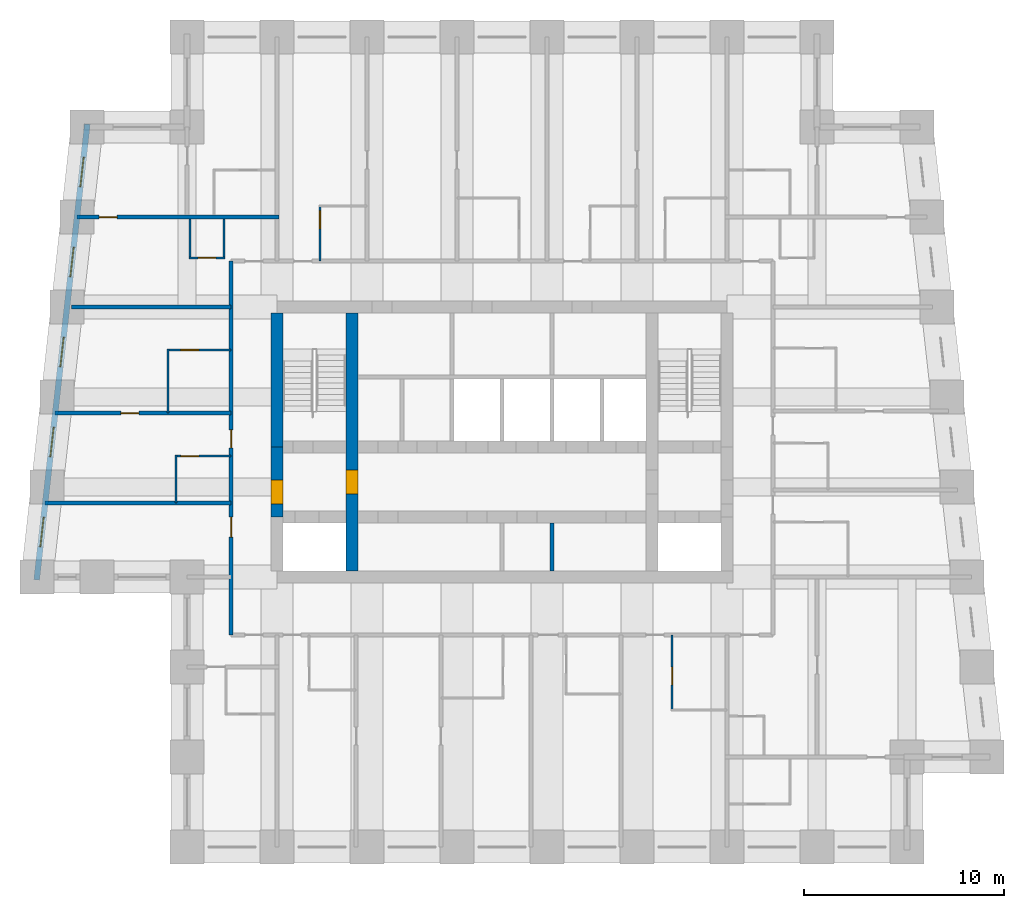
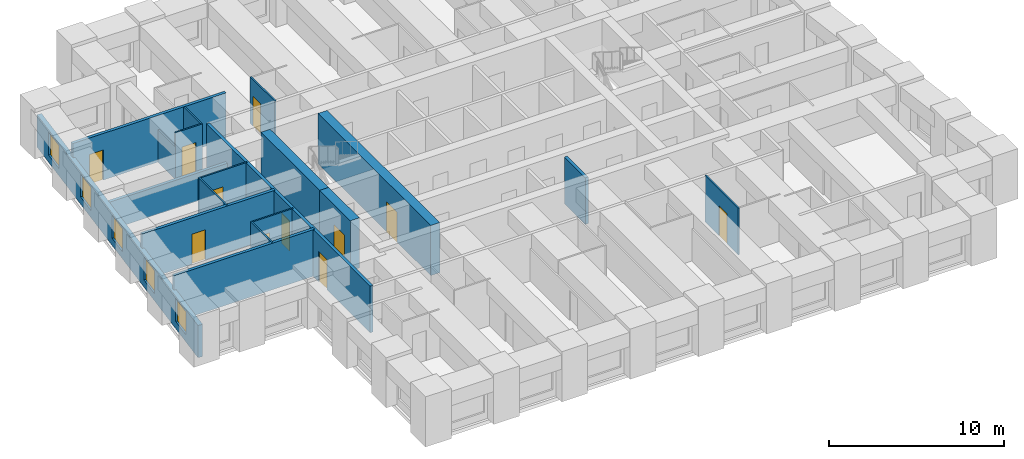
# One storey, part 3 of 8: 19 walls, 11 doors, 5 windows, 16 openings.
"""IFC4 building model written with IfcOpenShell, lengths in metres."""

from ifc_helpers import new_model, si_unit, direction, frame, frame_2d, origin, place, context, subcontext, project, spatial, rectangle, extrude, material, layer, layer_set, type_object, element, fill, save


model = new_model("IFC4")

# Units and contexts
model_context = context("Model", 3, precision=1e-05, world=origin(), true_north=direction((0.0, 1.0)))
body_context = subcontext(model_context, "Body", "Model", "MODEL_VIEW")
ifc_project = project(units=[si_unit("LENGTHUNIT", "METRE"), si_unit("AREAUNIT", "SQUARE_METRE"), si_unit("VOLUMEUNIT", "CUBIC_METRE"), si_unit("PLANEANGLEUNIT", "RADIAN"), si_unit("MASSUNIT", "GRAM", prefix="KILO")], contexts=[model_context])

# Site, building, storey
site_placement = place(None, origin())
site = spatial("IfcSite", under=ifc_project, at=site_placement, CompositionType="ELEMENT")
building_placement = place(site_placement, origin())
building = spatial("IfcBuilding", under=site, at=building_placement, Name="Kilele Tower Hotel", CompositionType="ELEMENT")
storey_placement = place(building_placement, frame((0.0, 0.0, 204.39990234375)))
storey = spatial("IfcBuildingStorey", under=building, at=storey_placement, Name="L53", CompositionType="ELEMENT", Elevation=204.39990234375)

# Wall, opening, door
ifc_material_1 = material(Name="Moisture-resistant board")
ifc_layer_1 = layer(ifc_material_1, 0.10009765625)
ifc_layer_set_1 = layer_set([ifc_layer_1], Name="Moisture-resistant board")
wall_type_1 = type_object("IfcWallType", Name="Bathroom partition 100", PredefinedType="PLUMBINGWALL", material=ifc_layer_set_1)
wall_1_placement = place(storey_placement, frame((33.25, 10.60009765625, 0.0), z_axis=(0.0, 0.0, 1.0), x_axis=(0.0, -1.0, 0.0)))
wall_1 = element("IfcWall", 1, at=wall_1_placement, inside=storey, type_object=wall_type_1, Name="Bathroom partition 100 L53", PredefinedType="PLUMBINGWALL", context=body_context, shape_type="SweptSolid", body=[
    extrude(rectangle(XDim=3.800048828125, YDim=0.10009765625, at=frame_2d((1.89990234375, 0.0))), origin(), (0.0, 0.0, 1.0), 3.25),
])
opening_1_placement = place(wall_1_placement, frame((2.5, 0.0, 0.0), z_axis=(0.0, 0.0, 1.0), x_axis=(-1.0, 0.0, 0.0)))
opening_1 = element("IfcOpeningElement", 2, at=opening_1_placement, cuts=wall_1, Name="Opening D2A", PredefinedType="OPENING", context=body_context, shape_type="SweptSolid", body=[
    extrude(rectangle(XDim=0.89990234375, YDim=2.10009765625, at=frame_2d((0.449951171875, 1.050048828125))), frame((0.0, 0.06005859375, 0.0), z_axis=(0.0, -1.0, 0.0), x_axis=(1.0, 0.0, 0.0)), (0.0, 0.0, 1.0), 0.1201171875),
])
ifc_material_2 = material(Name="Timber door leaf in hardwood frame", Category="wood")
door_type_1 = type_object("IfcDoorType", Name="Bathroom door 900", OperationType="SINGLE_SWING_LEFT", PredefinedType="DOOR", material=ifc_material_2)
door_1_placement = place(opening_1_placement, origin())
door_1 = element("IfcDoor", 3, at=door_1_placement, inside=storey, type_object=door_type_1, Name="Bathroom door 5305B", OperationType="SINGLE_SWING_LEFT", OverallHeight=2.10009765625, OverallWidth=0.89990234375, PredefinedType="DOOR", context=body_context, shape_type="SweptSolid", body=[
    extrude(rectangle(XDim=0.89990234375, YDim=2.10009765625, at=frame_2d((0.449951171875, 1.050048828125))), frame((0.0, 0.02490234375, 0.0), z_axis=(0.0, -1.0, 0.0), x_axis=(1.0, 0.0, 0.0)), (0.0, 0.0, 1.0), 0.050048828125),
])
fill(opening_1, door_1)

wall_2_placement = place(storey_placement, frame((15.64990234375, 29.300048828125, 0.0), z_axis=(0.0, 0.0, 1.0), x_axis=(0.0, 1.0, 0.0)))
wall_2 = element("IfcWall", 4, at=wall_2_placement, inside=storey, type_object=wall_type_1, Name="Bathroom partition 100 L53", PredefinedType="PLUMBINGWALL", context=body_context, shape_type="SweptSolid", body=[
    extrude(rectangle(XDim=2.800048828125, YDim=0.10009765625, at=frame_2d((1.39990234375, 0.0))), origin(), (0.0, 0.0, 1.0), 3.25),
])
opening_2_placement = place(wall_2_placement, frame((1.60009765625, 0.0, 0.0)))
opening_2 = element("IfcOpeningElement", 5, at=opening_2_placement, cuts=wall_2, Name="Opening D2A", PredefinedType="OPENING", context=body_context, shape_type="SweptSolid", body=[
    extrude(rectangle(XDim=0.89990234375, YDim=2.10009765625, at=frame_2d((0.449951171875, 1.050048828125))), frame((0.0, 0.06005859375, 0.0), z_axis=(0.0, -1.0, 0.0), x_axis=(1.0, 0.0, 0.0)), (0.0, 0.0, 1.0), 0.1201171875),
])
door_2_placement = place(opening_2_placement, origin())
door_2 = element("IfcDoor", 6, at=door_2_placement, inside=storey, type_object=door_type_1, Name="Bathroom door 5309B", OperationType="SINGLE_SWING_LEFT", OverallHeight=2.10009765625, OverallWidth=0.89990234375, PredefinedType="DOOR", context=body_context, shape_type="SweptSolid", body=[
    extrude(rectangle(XDim=0.89990234375, YDim=2.10009765625, at=frame_2d((0.449951171875, 1.050048828125))), frame((0.0, 0.02490234375, 0.0), z_axis=(0.0, -1.0, 0.0), x_axis=(1.0, 0.0, 0.0)), (0.0, 0.0, 1.0), 0.050048828125),
])
fill(opening_2, door_2)

# Wall
wall_3_placement = place(storey_placement, frame((8.449951171875, 17.199951171875, 0.0), z_axis=(0.0, 0.0, 1.0), x_axis=(0.0, 1.0, 0.0)))
element("IfcWall", 7, at=wall_3_placement, inside=storey, type_object=wall_type_1, Name="Bathroom partition 100 L53", PredefinedType="PLUMBINGWALL", context=body_context, shape_type="SweptSolid", body=[
    extrude(rectangle(XDim=2.400146484375, YDim=0.10009765625, at=frame_2d((1.2001953125, 0.0))), origin(), (0.0, 0.0, 1.0), 3.25),
])

# Wall, opening, door
wall_4_placement = place(storey_placement, frame((11.199951171875, 19.550048828125, 0.0), z_axis=(0.0, 0.0, 1.0), x_axis=(-1.0, 0.0, 0.0)))
wall_4 = element("IfcWall", 8, at=wall_4_placement, inside=storey, type_object=wall_type_1, Name="Bathroom partition 100 L53", PredefinedType="PLUMBINGWALL", context=body_context, shape_type="SweptSolid", body=[
    extrude(rectangle(XDim=2.800048828125, YDim=0.10009765625, at=frame_2d((1.39990234375, 0.0))), origin(), (0.0, 0.0, 1.0), 3.25),
])
opening_3_placement = place(wall_4_placement, frame((2.5, 0.0, 0.0), z_axis=(0.0, 0.0, 1.0), x_axis=(-1.0, 0.0, 0.0)))
opening_3 = element("IfcOpeningElement", 9, at=opening_3_placement, cuts=wall_4, Name="Opening D2A", PredefinedType="OPENING", context=body_context, shape_type="SweptSolid", body=[
    extrude(rectangle(XDim=0.89990234375, YDim=2.10009765625, at=frame_2d((0.449951171875, 1.050048828125))), frame((0.0, 0.06005859375, 0.0), z_axis=(0.0, -1.0, 0.0), x_axis=(1.0, 0.0, 0.0)), (0.0, 0.0, 1.0), 0.1201171875),
])
door_3_placement = place(opening_3_placement, origin())
door_3 = element("IfcDoor", 10, at=door_3_placement, inside=storey, type_object=door_type_1, Name="Bathroom door 5315B", OperationType="SINGLE_SWING_LEFT", OverallHeight=2.10009765625, OverallWidth=0.89990234375, PredefinedType="DOOR", context=body_context, shape_type="SweptSolid", body=[
    extrude(rectangle(XDim=0.89990234375, YDim=2.10009765625, at=frame_2d((0.449951171875, 1.050048828125))), frame((0.0, 0.02490234375, 0.0), z_axis=(0.0, -1.0, 0.0), x_axis=(1.0, 0.0, 0.0)), (0.0, 0.0, 1.0), 0.050048828125),
])
fill(opening_3, door_3)

# Wall
wall_5_placement = place(storey_placement, frame((8.050048828125, 21.699951171875, 0.0), z_axis=(0.0, 0.0, 1.0), x_axis=(0.0, 1.0, 0.0)))
element("IfcWall", 11, at=wall_5_placement, inside=storey, type_object=wall_type_1, Name="Bathroom partition 100 L53", PredefinedType="PLUMBINGWALL", context=body_context, shape_type="SweptSolid", body=[
    extrude(rectangle(XDim=3.199951171875, YDim=0.10009765625, at=frame_2d((1.60009765625, 0.0))), origin(), (0.0, 0.0, 1.0), 3.25),
])

# Wall, opening, door
wall_6_placement = place(storey_placement, frame((11.199951171875, 24.85009765625, 0.0), z_axis=(0.0, 0.0, 1.0), x_axis=(-1.0, 0.0, 0.0)))
wall_6 = element("IfcWall", 12, at=wall_6_placement, inside=storey, type_object=wall_type_1, Name="Bathroom partition 100 L53", PredefinedType="PLUMBINGWALL", context=body_context, shape_type="SweptSolid", body=[
    extrude(rectangle(XDim=3.199951171875, YDim=0.10009765625, at=frame_2d((1.60009765625, 0.0))), origin(), (0.0, 0.0, 1.0), 3.25),
])
opening_4_placement = place(wall_6_placement, frame((2.5, 0.0, 0.0), z_axis=(0.0, 0.0, 1.0), x_axis=(-1.0, 0.0, 0.0)))
opening_4 = element("IfcOpeningElement", 13, at=opening_4_placement, cuts=wall_6, Name="Opening D2A", PredefinedType="OPENING", context=body_context, shape_type="SweptSolid", body=[
    extrude(rectangle(XDim=0.89990234375, YDim=2.10009765625, at=frame_2d((0.449951171875, 1.050048828125))), frame((0.0, 0.06005859375, 0.0), z_axis=(0.0, -1.0, 0.0), x_axis=(1.0, 0.0, 0.0)), (0.0, 0.0, 1.0), 0.1201171875),
])
door_4_placement = place(opening_4_placement, origin())
door_4 = element("IfcDoor", 14, at=door_4_placement, inside=storey, type_object=door_type_1, Name="Bathroom door 5316B", OperationType="SINGLE_SWING_LEFT", OverallHeight=2.10009765625, OverallWidth=0.89990234375, PredefinedType="DOOR", context=body_context, shape_type="SweptSolid", body=[
    extrude(rectangle(XDim=0.89990234375, YDim=2.10009765625, at=frame_2d((0.449951171875, 1.050048828125))), frame((0.0, 0.02490234375, 0.0), z_axis=(0.0, -1.0, 0.0), x_axis=(1.0, 0.0, 0.0)), (0.0, 0.0, 1.0), 0.050048828125),
])
fill(opening_4, door_4)

# Walls
wall_7_placement = place(storey_placement, frame((9.14990234375, 31.39990234375, 0.0), z_axis=(0.0, 0.0, 1.0), x_axis=(0.0, -1.0, 0.0)))
element("IfcWall", 15, at=wall_7_placement, inside=storey, type_object=wall_type_1, Name="Bathroom partition 100 L53", PredefinedType="PLUMBINGWALL", context=body_context, shape_type="SweptSolid", body=[
    extrude(rectangle(XDim=2.0, YDim=0.10009765625, at=frame_2d((1.0, 0.0))), origin(), (0.0, 0.0, 1.0), 2.25),
])
wall_8_placement = place(storey_placement, frame((10.85009765625, 31.39990234375, 0.0), z_axis=(0.0, 0.0, 1.0), x_axis=(0.0, -1.0, 0.0)))
element("IfcWall", 16, at=wall_8_placement, inside=storey, type_object=wall_type_1, Name="Bathroom partition 100 L53", PredefinedType="PLUMBINGWALL", context=body_context, shape_type="SweptSolid", body=[
    extrude(rectangle(XDim=2.0, YDim=0.10009765625, at=frame_2d((1.0, 0.0))), origin(), (0.0, 0.0, 1.0), 3.25),
])

# Wall, opening, door
wall_9_placement = place(storey_placement, frame((10.89990234375, 29.449951171875, 0.0), z_axis=(0.0, 0.0, 1.0), x_axis=(-1.0, 0.0, 0.0)))
wall_9 = element("IfcWall", 17, at=wall_9_placement, inside=storey, type_object=wall_type_1, Name="Bathroom partition 100 L53", PredefinedType="PLUMBINGWALL", context=body_context, shape_type="SweptSolid", body=[
    extrude(rectangle(XDim=1.7998046875, YDim=0.10009765625, at=frame_2d((0.89990234375, 0.0))), origin(), (0.0, 0.0, 1.0), 3.25),
])
opening_5_placement = place(wall_9_placement, frame((0.449951171875, 0.0, 0.0)))
opening_5 = element("IfcOpeningElement", 18, at=opening_5_placement, cuts=wall_9, Name="Opening D2A", PredefinedType="OPENING", context=body_context, shape_type="SweptSolid", body=[
    extrude(rectangle(XDim=0.89990234375, YDim=2.10009765625, at=frame_2d((0.449951171875, 1.050048828125))), frame((0.0, 0.06005859375, 0.0), z_axis=(0.0, -1.0, 0.0), x_axis=(1.0, 0.0, 0.0)), (0.0, 0.0, 1.0), 0.1201171875),
])
door_5_placement = place(opening_5_placement, origin())
door_5 = element("IfcDoor", 19, at=door_5_placement, inside=storey, type_object=door_type_1, Name="Bathroom door 5325P", OperationType="SINGLE_SWING_LEFT", OverallHeight=2.10009765625, OverallWidth=0.89990234375, PredefinedType="DOOR", context=body_context, shape_type="SweptSolid", body=[
    extrude(rectangle(XDim=0.89990234375, YDim=2.10009765625, at=frame_2d((0.449951171875, 1.050048828125))), frame((0.0, 0.02490234375, 0.0), z_axis=(0.0, -1.0, 0.0), x_axis=(1.0, 0.0, 0.0)), (0.0, 0.0, 1.0), 0.050048828125),
])
fill(opening_5, door_5)

ifc_material_3 = material(Name="Concrete C70/85", Category="concrete")
ifc_layer_2 = layer(ifc_material_3, 0.60009765625)
ifc_layer_set_2 = layer_set([ifc_layer_2], Name="Concrete C70/85")
wall_type_2 = type_object("IfcWallType", Name="Core wall 600 C70/85", PredefinedType="SHEAR", material=ifc_layer_set_2)
wall_10_placement = place(storey_placement, frame((17.25, 13.800048828125, 0.0), z_axis=(0.0, 0.0, 1.0), x_axis=(0.0, 1.0, 0.0)))
wall_10 = element("IfcWall", 20, at=wall_10_placement, inside=storey, type_object=wall_type_2, Name="Core wall IW L53", PredefinedType="SHEAR", context=body_context, shape_type="SweptSolid", body=[
    extrude(rectangle(XDim=12.89990234375, YDim=0.60009765625, at=frame_2d((6.449951171875, 0.0))), origin(), (0.0, 0.0, 1.0), 3.5),
])
opening_6_placement = place(wall_10_placement, frame((3.85009765625, 0.0, 0.0)))
opening_6 = element("IfcOpeningElement", 21, at=opening_6_placement, cuts=wall_10, Name="Opening D4", PredefinedType="OPENING", context=body_context, shape_type="SweptSolid", body=[
    extrude(rectangle(XDim=1.199951171875, YDim=2.10009765625, at=frame_2d((0.60009765625, 1.050048828125))), frame((0.0, 0.31005859375, 0.0), z_axis=(0.0, -1.0, 0.0), x_axis=(1.0, 0.0, 0.0)), (0.0, 0.0, 1.0), 0.6201171875),
])
ifc_material_4 = material(Name="Timber door leaf in hardwood frame", Category="wood")
door_type_2 = type_object("IfcDoorType", Name="Firefighting lobby door 1200", OperationType="SINGLE_SWING_LEFT", PredefinedType="DOOR", material=ifc_material_4)
door_6_placement = place(opening_6_placement, origin())
door_6 = element("IfcDoor", 22, at=door_6_placement, inside=storey, type_object=door_type_2, Name="Lobby door L53", OperationType="SINGLE_SWING_LEFT", OverallHeight=2.10009765625, OverallWidth=1.199951171875, PredefinedType="DOOR", context=body_context, shape_type="SweptSolid", body=[
    extrude(rectangle(XDim=1.199951171875, YDim=2.10009765625, at=frame_2d((0.60009765625, 1.050048828125))), frame((0.0, 0.2998046875, 0.0), z_axis=(0.0, -1.0, 0.0), x_axis=(1.0, 0.0, 0.0)), (0.0, 0.0, 1.0), 0.599609375),
])
fill(opening_6, door_6)

# Wall
wall_11_placement = place(storey_placement, frame((13.5, 26.699951171875, 0.0), z_axis=(0.0, 0.0, 1.0), x_axis=(0.0, -1.0, 0.0)))
element("IfcWall", 23, at=wall_11_placement, inside=storey, type_object=wall_type_2, Name="Core wall W1 L53", PredefinedType="SHEAR", context=body_context, shape_type="SweptSolid", body=[
    extrude(rectangle(XDim=6.699951171875, YDim=0.60009765625, at=frame_2d((3.35009765625, 0.0))), origin(), (0.0, 0.0, 1.0), 3.5),
])

# Wall, opening, door
wall_12_placement = place(storey_placement, frame((13.5, 20.0, 0.0), z_axis=(0.0, 0.0, 1.0), x_axis=(0.0, -1.0, 0.0)))
wall_12 = element("IfcWall", 24, at=wall_12_placement, inside=storey, type_object=wall_type_2, Name="Core wall W2 L53", PredefinedType="SHEAR", context=body_context, shape_type="SweptSolid", body=[
    extrude(rectangle(XDim=3.5, YDim=0.60009765625, at=frame_2d((1.75, 0.0))), origin(), (0.0, 0.0, 1.0), 3.5),
])
opening_7_placement = place(wall_12_placement, frame((1.64990234375, 0.0, 0.0)))
opening_7 = element("IfcOpeningElement", 25, at=opening_7_placement, cuts=wall_12, Name="Opening D4", PredefinedType="OPENING", context=body_context, shape_type="SweptSolid", body=[
    extrude(rectangle(XDim=1.199951171875, YDim=2.10009765625, at=frame_2d((0.60009765625, 1.050048828125))), frame((0.0, 0.31005859375, 0.0), z_axis=(0.0, -1.0, 0.0), x_axis=(1.0, 0.0, 0.0)), (0.0, 0.0, 1.0), 0.6201171875),
])
door_7_placement = place(opening_7_placement, origin())
door_7 = element("IfcDoor", 26, at=door_7_placement, inside=storey, type_object=door_type_2, Name="Lobby door L53", OperationType="SINGLE_SWING_RIGHT", OverallHeight=2.10009765625, OverallWidth=1.199951171875, PredefinedType="DOOR", context=body_context, shape_type="SweptSolid", body=[
    extrude(rectangle(XDim=1.199951171875, YDim=2.10009765625, at=frame_2d((0.60009765625, 1.050048828125))), frame((0.0, 0.2998046875, 0.0), z_axis=(0.0, -1.0, 0.0), x_axis=(1.0, 0.0, 0.0)), (0.0, 0.0, 1.0), 0.599609375),
])
fill(opening_7, door_7)

# Wall, openings, doors
ifc_material_5 = material(Name="Blockwork, plastered both sides", Category="masonry")
ifc_layer_3 = layer(ifc_material_5, 0.199951171875)
ifc_layer_set_3 = layer_set([ifc_layer_3], Name="Blockwork, plastered both sides")
wall_type_3 = type_object("IfcWallType", Name="Corridor wall 200", PredefinedType="PARTITIONING", material=ifc_layer_set_3)
wall_13_placement = place(storey_placement, frame((11.199951171875, 10.60009765625, 0.0), z_axis=(0.0, 0.0, 1.0), x_axis=(0.0, 1.0, 0.0)))
wall_13 = element("IfcWall", 27, at=wall_13_placement, inside=storey, type_object=wall_type_3, Name="Corridor wall 200 L53", PredefinedType="PARTITIONING", context=body_context, shape_type="SweptSolid", body=[
    extrude(rectangle(XDim=18.699951171875, YDim=0.199951171875, at=frame_2d((9.35009765625, 0.0))), origin(), (0.0, 0.0, 1.0), 3.25),
])
opening_8_placement = place(wall_13_placement, frame((4.89990234375, 0.0, 0.0)))
opening_8 = element("IfcOpeningElement", 28, at=opening_8_placement, cuts=wall_13, Name="Opening D8", PredefinedType="OPENING", context=body_context, shape_type="SweptSolid", body=[
    extrude(rectangle(XDim=1.0, YDim=2.10009765625, at=frame_2d((0.5, 1.050048828125))), frame((0.0, 0.10986328125, 0.0), z_axis=(0.0, -1.0, 0.0), x_axis=(1.0, 0.0, 0.0)), (0.0, 0.0, 1.0), 0.219970703125),
])
opening_9_placement = place(wall_13_placement, frame((9.35009765625, 0.0, 0.0)))
opening_9 = element("IfcOpeningElement", 29, at=opening_9_placement, cuts=wall_13, Name="Opening D1", PredefinedType="OPENING", context=body_context, shape_type="SweptSolid", body=[
    extrude(rectangle(XDim=0.89990234375, YDim=2.10009765625, at=frame_2d((0.449951171875, 1.050048828125))), frame((0.0, 0.10986328125, 0.0), z_axis=(0.0, -1.0, 0.0), x_axis=(1.0, 0.0, 0.0)), (0.0, 0.0, 1.0), 0.219970703125),
])
ifc_material_6 = material(Name="Timber door leaf in hardwood frame", Category="wood")
door_type_3 = type_object("IfcDoorType", Name="Door 1000", OperationType="SINGLE_SWING_LEFT", PredefinedType="DOOR", material=ifc_material_6)
door_8_placement = place(opening_8_placement, origin())
door_8 = element("IfcDoor", 30, at=door_8_placement, inside=storey, type_object=door_type_3, Name="Room entrance 5314", OperationType="SINGLE_SWING_RIGHT", OverallHeight=2.10009765625, OverallWidth=1.0, PredefinedType="DOOR", context=body_context, shape_type="SweptSolid", body=[
    extrude(rectangle(XDim=1.0, YDim=2.10009765625, at=frame_2d((0.5, 1.050048828125))), frame((0.0, 0.02490234375, 0.0), z_axis=(0.0, -1.0, 0.0), x_axis=(1.0, 0.0, 0.0)), (0.0, 0.0, 1.0), 0.050048828125),
])
fill(opening_8, door_8)
ifc_material_7 = material(Name="Timber door leaf in hardwood frame", Category="wood")
door_type_4 = type_object("IfcDoorType", Name="Guest room entrance door 900", OperationType="SINGLE_SWING_LEFT", PredefinedType="DOOR", material=ifc_material_7)
door_9_placement = place(opening_9_placement, origin())
door_9 = element("IfcDoor", 31, at=door_9_placement, inside=storey, type_object=door_type_4, Name="Room entrance 5315", OperationType="SINGLE_SWING_LEFT", OverallHeight=2.10009765625, OverallWidth=0.89990234375, PredefinedType="DOOR", context=body_context, shape_type="SweptSolid", body=[
    extrude(rectangle(XDim=0.89990234375, YDim=2.10009765625, at=frame_2d((0.449951171875, 1.050048828125))), frame((0.0, 0.02490234375, 0.0), z_axis=(0.0, -1.0, 0.0), x_axis=(1.0, 0.0, 0.0)), (0.0, 0.0, 1.0), 0.050048828125),
])
fill(opening_9, door_9)

# Wall
ifc_material_8 = material(Name="Blockwork, plastered both sides", Category="masonry")
ifc_layer_4 = layer(ifc_material_8, 0.199951171875)
ifc_layer_set_4 = layer_set([ifc_layer_4], Name="Blockwork, plastered both sides")
wall_type_4 = type_object("IfcWallType", Name="Party wall 200", PredefinedType="PARTITIONING", material=ifc_layer_set_4)
wall_14_placement = place(storey_placement, frame((11.199951171875, 17.199951171875, 0.0), z_axis=(0.0, 0.0, 1.0), x_axis=(-1.0, 0.0, 0.0)))
element("IfcWall", 32, at=wall_14_placement, inside=storey, type_object=wall_type_4, Name="Party wall 200 L53", PredefinedType="PARTITIONING", context=body_context, shape_type="SweptSolid", body=[
    extrude(rectangle(XDim=9.287841796875, YDim=0.199951171875, at=frame_2d((4.64404296875, 0.0))), origin(), (0.0, 0.0, 1.0), 3.25),
])

# Wall, opening, door
wall_15_placement = place(storey_placement, frame((11.199951171875, 21.699951171875, 0.0), z_axis=(0.0, 0.0, 1.0), x_axis=(-1.0, 0.0, 0.0)))
wall_15 = element("IfcWall", 33, at=wall_15_placement, inside=storey, type_object=wall_type_4, Name="Party wall 200 L53", PredefinedType="PARTITIONING", context=body_context, shape_type="SweptSolid", body=[
    extrude(rectangle(XDim=8.787841796875, YDim=0.199951171875, at=frame_2d((4.39404296875, 0.0))), origin(), (0.0, 0.0, 1.0), 3.25),
])
opening_10_placement = place(wall_15_placement, frame((5.5, 0.0, 0.0), z_axis=(0.0, 0.0, 1.0), x_axis=(-1.0, 0.0, 0.0)))
opening_10 = element("IfcOpeningElement", 34, at=opening_10_placement, cuts=wall_15, Name="Opening D3", PredefinedType="OPENING", context=body_context, shape_type="SweptSolid", body=[
    extrude(rectangle(XDim=0.89990234375, YDim=2.10009765625, at=frame_2d((0.449951171875, 1.050048828125))), frame((0.0, 0.10986328125, 0.0), z_axis=(0.0, -1.0, 0.0), x_axis=(1.0, 0.0, 0.0)), (0.0, 0.0, 1.0), 0.219970703125),
])
ifc_material_9 = material(Name="Timber door leaf in hardwood frame", Category="wood")
door_type_5 = type_object("IfcDoorType", Name="Suite internal door 900", OperationType="SINGLE_SWING_LEFT", PredefinedType="DOOR", material=ifc_material_9)
door_10_placement = place(opening_10_placement, origin())
door_10 = element("IfcDoor", 35, at=door_10_placement, inside=storey, type_object=door_type_5, Name="Suite door 5316", OperationType="SINGLE_SWING_RIGHT", OverallHeight=2.10009765625, OverallWidth=0.89990234375, PredefinedType="DOOR", context=body_context, shape_type="SweptSolid", body=[
    extrude(rectangle(XDim=0.89990234375, YDim=2.10009765625, at=frame_2d((0.449951171875, 1.050048828125))), frame((0.0, 0.02490234375, 0.0), z_axis=(0.0, -1.0, 0.0), x_axis=(1.0, 0.0, 0.0)), (0.0, 0.0, 1.0), 0.050048828125),
])
fill(opening_10, door_10)

# Wall
wall_16_placement = place(storey_placement, frame((11.199951171875, 27.0, 0.0), z_axis=(0.0, 0.0, 1.0), x_axis=(-1.0, 0.0, 0.0)))
element("IfcWall", 36, at=wall_16_placement, inside=storey, type_object=wall_type_4, Name="Party wall 200 L53", PredefinedType="PARTITIONING", context=body_context, shape_type="SweptSolid", body=[
    extrude(rectangle(XDim=7.976806640625, YDim=0.199951171875, at=frame_2d((3.98828125, 0.0))), origin(), (0.0, 0.0, 1.0), 1.9501953125),
])

# Wall, opening, door
wall_17_placement = place(storey_placement, frame((13.60009765625, 31.5, 0.0), z_axis=(0.0, 0.0, 1.0), x_axis=(-1.0, 0.0, 0.0)))
wall_17 = element("IfcWall", 37, at=wall_17_placement, inside=storey, type_object=wall_type_4, Name="Party wall 200 L53", PredefinedType="PARTITIONING", context=body_context, shape_type="SweptSolid", body=[
    extrude(rectangle(XDim=10.09912109375, YDim=0.199951171875, at=frame_2d((5.049560546875, 0.0))), origin(), (0.0, 0.0, 1.0), 3.25),
])
opening_11_placement = place(wall_17_placement, frame((8.9990234375, 0.0, 0.0), z_axis=(0.0, 0.0, 1.0), x_axis=(-1.0, 0.0, 0.0)))
opening_11 = element("IfcOpeningElement", 38, at=opening_11_placement, cuts=wall_17, Name="Opening D3", PredefinedType="OPENING", context=body_context, shape_type="SweptSolid", body=[
    extrude(rectangle(XDim=0.89990234375, YDim=2.10009765625, at=frame_2d((0.449951171875, 1.050048828125))), frame((0.0, 0.10986328125, 0.0), z_axis=(0.0, -1.0, 0.0), x_axis=(1.0, 0.0, 0.0)), (0.0, 0.0, 1.0), 0.219970703125),
])
door_11_placement = place(opening_11_placement, origin())
door_11 = element("IfcDoor", 39, at=door_11_placement, inside=storey, type_object=door_type_5, Name="Suite door 5326", OperationType="SINGLE_SWING_LEFT", OverallHeight=2.10009765625, OverallWidth=0.89990234375, PredefinedType="DOOR", context=body_context, shape_type="SweptSolid", body=[
    extrude(rectangle(XDim=0.89990234375, YDim=2.10009765625, at=frame_2d((0.449951171875, 1.050048828125))), frame((0.0, 0.02490234375, 0.0), z_axis=(0.0, -1.0, 0.0), x_axis=(1.0, 0.0, 0.0)), (0.0, 0.0, 1.0), 0.050048828125),
])
fill(opening_11, door_11)

# Wall, openings, windows
ifc_material_10 = material(Name="Concrete C40/50 precast", Category="concrete")
ifc_layer_5 = layer(ifc_material_10, 0.260009765625, Name="Precast backing", Category="LoadBearing")
ifc_material_11 = material(Name="Reconstituted stone finish", Category="masonry")
ifc_layer_6 = layer(ifc_material_11, 0.0400390625, Name="Face mix", Category="Finish")
ifc_layer_set_5 = layer_set([ifc_layer_5, ifc_layer_6], Name="Precast concrete C40/50, reconstituted stone finish")
wall_type_5 = type_object("IfcWallType", Name="Precast stone facade wall 300", PredefinedType="STANDARD", material=ifc_layer_set_5)
wall_18_placement = place(storey_placement, frame((4.0166015625, 36.149169921875, 0.0), z_axis=(0.0, 0.0, 1.0), x_axis=(-0.110433862387, -0.993883475081, 0.0)))
wall_18 = element("IfcWall", 40, at=wall_18_placement, inside=storey, type_object=wall_type_5, Name="Facade wall L53 edge 12", PredefinedType="STANDARD", context=body_context, shape_type="SweptSolid", body=[
    extrude(rectangle(XDim=22.938720703125, YDim=0.300048828125, at=frame_2d((11.46923828125, 0.0))), origin(), (0.0, 0.0, 1.0), 2.25),
])
opening_12_placement = place(wall_18_placement, frame((1.6640625, 0.0, 0.5)))
opening_12 = element("IfcOpeningElement", 41, at=opening_12_placement, cuts=wall_18, Name="Opening W3", PredefinedType="OPENING", context=body_context, shape_type="SweptSolid", body=[
    extrude(rectangle(XDim=1.5, YDim=1.60009765625, at=frame_2d((0.75, 0.800048828125))), frame((0.0, 0.159912109375, 0.0), z_axis=(0.0, -1.0, 0.0), x_axis=(1.0, 0.0, 0.0)), (0.0, 0.0, 1.0), 0.320068359375),
])
opening_13_placement = place(wall_18_placement, frame((6.19189453125, 0.0, 0.5)))
opening_13 = element("IfcOpeningElement", 42, at=opening_13_placement, cuts=wall_18, Name="Opening W3", PredefinedType="OPENING", context=body_context, shape_type="SweptSolid", body=[
    extrude(rectangle(XDim=1.5, YDim=1.60009765625, at=frame_2d((0.75, 0.800048828125))), frame((0.0, 0.159912109375, 0.0), z_axis=(0.0, -1.0, 0.0), x_axis=(1.0, 0.0, 0.0)), (0.0, 0.0, 1.0), 0.320068359375),
])
opening_14_placement = place(wall_18_placement, frame((10.718994140625, 0.0, 0.5)))
opening_14 = element("IfcOpeningElement", 43, at=opening_14_placement, cuts=wall_18, Name="Opening W3", PredefinedType="OPENING", context=body_context, shape_type="SweptSolid", body=[
    extrude(rectangle(XDim=1.5, YDim=1.60009765625, at=frame_2d((0.75, 0.800048828125))), frame((0.0, 0.159912109375, 0.0), z_axis=(0.0, -1.0, 0.0), x_axis=(1.0, 0.0, 0.0)), (0.0, 0.0, 1.0), 0.320068359375),
])
opening_15_placement = place(wall_18_placement, frame((15.2470703125, 0.0, 0.5)))
opening_15 = element("IfcOpeningElement", 44, at=opening_15_placement, cuts=wall_18, Name="Opening W3", PredefinedType="OPENING", context=body_context, shape_type="SweptSolid", body=[
    extrude(rectangle(XDim=1.5, YDim=1.60009765625, at=frame_2d((0.75, 0.800048828125))), frame((0.0, 0.159912109375, 0.0), z_axis=(0.0, -1.0, 0.0), x_axis=(1.0, 0.0, 0.0)), (0.0, 0.0, 1.0), 0.320068359375),
])
opening_16_placement = place(wall_18_placement, frame((19.77490234375, 0.0, 0.5)))
opening_16 = element("IfcOpeningElement", 45, at=opening_16_placement, cuts=wall_18, Name="Opening W3", PredefinedType="OPENING", context=body_context, shape_type="SweptSolid", body=[
    extrude(rectangle(XDim=1.5, YDim=1.60009765625, at=frame_2d((0.75, 0.800048828125))), frame((0.0, 0.159912109375, 0.0), z_axis=(0.0, -1.0, 0.0), x_axis=(1.0, 0.0, 0.0)), (0.0, 0.0, 1.0), 0.320068359375),
])
ifc_material_12 = material(Name="Aluminium frame, clear double glazing", Category="aluminium")
window_type = type_object("IfcWindowType", Name="Window W3 1500 x 1600", PartitioningType="SINGLE_PANEL", PredefinedType="WINDOW", material=ifc_material_12)
window_1_placement = place(opening_12_placement, origin())
window_1 = element("IfcWindow", 46, at=window_1_placement, inside=storey, type_object=window_type, Name="Window L53", OverallHeight=1.60009765625, OverallWidth=1.5, PartitioningType="SINGLE_PANEL", PredefinedType="WINDOW", context=body_context, shape_type="SweptSolid", body=[
    extrude(rectangle(XDim=1.5, YDim=1.60009765625, at=frame_2d((0.75, 0.800048828125))), frame((0.0, 0.030029296875, 0.0), z_axis=(0.0, -1.0, 0.0), x_axis=(1.0, 0.0, 0.0)), (0.0, 0.0, 1.0), 0.06005859375),
])
fill(opening_12, window_1)
window_2_placement = place(opening_13_placement, origin())
window_2 = element("IfcWindow", 47, at=window_2_placement, inside=storey, type_object=window_type, Name="Window L53", OverallHeight=1.60009765625, OverallWidth=1.5, PartitioningType="SINGLE_PANEL", PredefinedType="WINDOW", context=body_context, shape_type="SweptSolid", body=[
    extrude(rectangle(XDim=1.5, YDim=1.60009765625, at=frame_2d((0.75, 0.800048828125))), frame((0.0, 0.030029296875, 0.0), z_axis=(0.0, -1.0, 0.0), x_axis=(1.0, 0.0, 0.0)), (0.0, 0.0, 1.0), 0.06005859375),
])
fill(opening_13, window_2)
window_3_placement = place(opening_14_placement, origin())
window_3 = element("IfcWindow", 48, at=window_3_placement, inside=storey, type_object=window_type, Name="Window L53", OverallHeight=1.60009765625, OverallWidth=1.5, PartitioningType="SINGLE_PANEL", PredefinedType="WINDOW", context=body_context, shape_type="SweptSolid", body=[
    extrude(rectangle(XDim=1.5, YDim=1.60009765625, at=frame_2d((0.75, 0.800048828125))), frame((0.0, 0.030029296875, 0.0), z_axis=(0.0, -1.0, 0.0), x_axis=(1.0, 0.0, 0.0)), (0.0, 0.0, 1.0), 0.06005859375),
])
fill(opening_14, window_3)
window_4_placement = place(opening_15_placement, origin())
window_4 = element("IfcWindow", 49, at=window_4_placement, inside=storey, type_object=window_type, Name="Window L53", OverallHeight=1.60009765625, OverallWidth=1.5, PartitioningType="SINGLE_PANEL", PredefinedType="WINDOW", context=body_context, shape_type="SweptSolid", body=[
    extrude(rectangle(XDim=1.5, YDim=1.60009765625, at=frame_2d((0.75, 0.800048828125))), frame((0.0, 0.030029296875, 0.0), z_axis=(0.0, -1.0, 0.0), x_axis=(1.0, 0.0, 0.0)), (0.0, 0.0, 1.0), 0.06005859375),
])
fill(opening_15, window_4)
window_5_placement = place(opening_16_placement, origin())
window_5 = element("IfcWindow", 50, at=window_5_placement, inside=storey, type_object=window_type, Name="Window L53", OverallHeight=1.60009765625, OverallWidth=1.5, PartitioningType="SINGLE_PANEL", PredefinedType="WINDOW", context=body_context, shape_type="SweptSolid", body=[
    extrude(rectangle(XDim=1.5, YDim=1.60009765625, at=frame_2d((0.75, 0.800048828125))), frame((0.0, 0.030029296875, 0.0), z_axis=(0.0, -1.0, 0.0), x_axis=(1.0, 0.0, 0.0)), (0.0, 0.0, 1.0), 0.06005859375),
])
fill(opening_16, window_5)

# Wall
ifc_material_13 = material(Name="Blockwork, fire-rated", Category="masonry")
ifc_layer_7 = layer(ifc_material_13, 0.199951171875)
ifc_layer_set_6 = layer_set([ifc_layer_7], Name="Blockwork, fire-rated")
wall_type_6 = type_object("IfcWallType", Name="Shaft wall 200", PredefinedType="PARTITIONING", material=ifc_layer_set_6)
wall_19_placement = place(storey_placement, frame((27.25, 13.800048828125, 0.0), z_axis=(0.0, 0.0, 1.0), x_axis=(0.0, 1.0, 0.0)))
element("IfcWall", 51, at=wall_19_placement, inside=storey, type_object=wall_type_6, Name="Shaft wall 200 L53", PredefinedType="PARTITIONING", context=body_context, shape_type="SweptSolid", body=[
    extrude(rectangle(XDim=2.39990234375, YDim=0.199951171875, at=frame_2d((1.199951171875, 0.0))), origin(), (0.0, 0.0, 1.0), 3.25),
])

save(model, "model.ifc")
